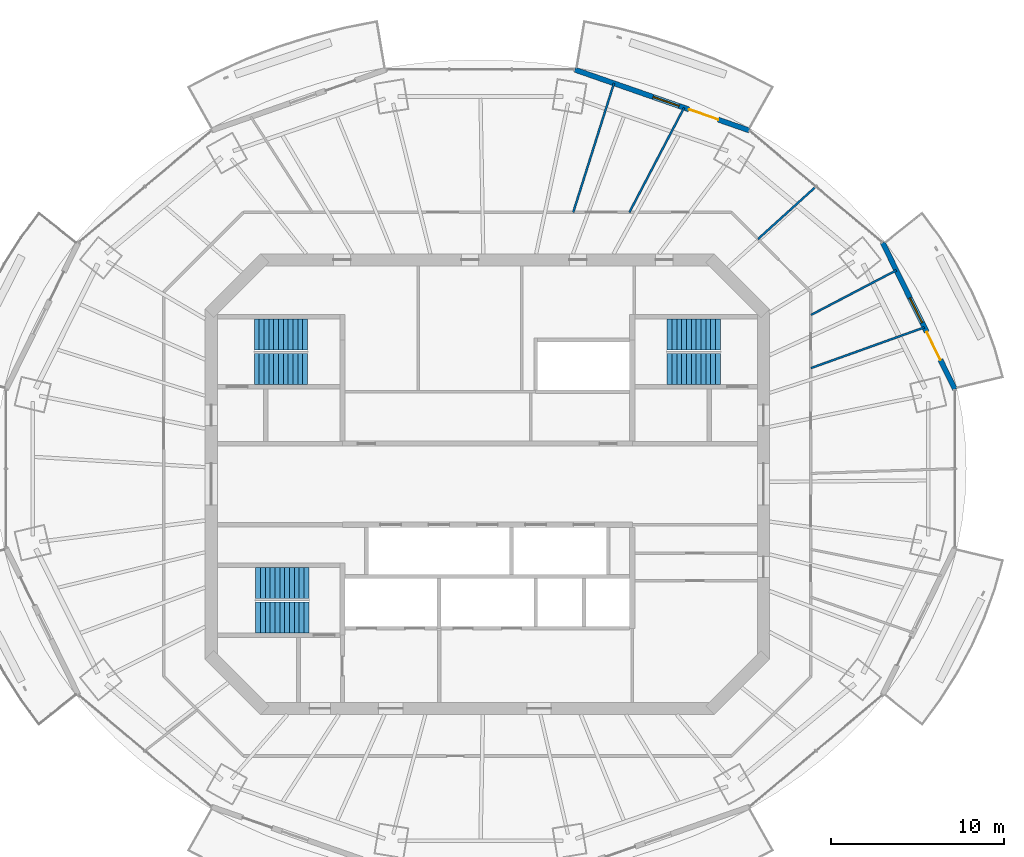
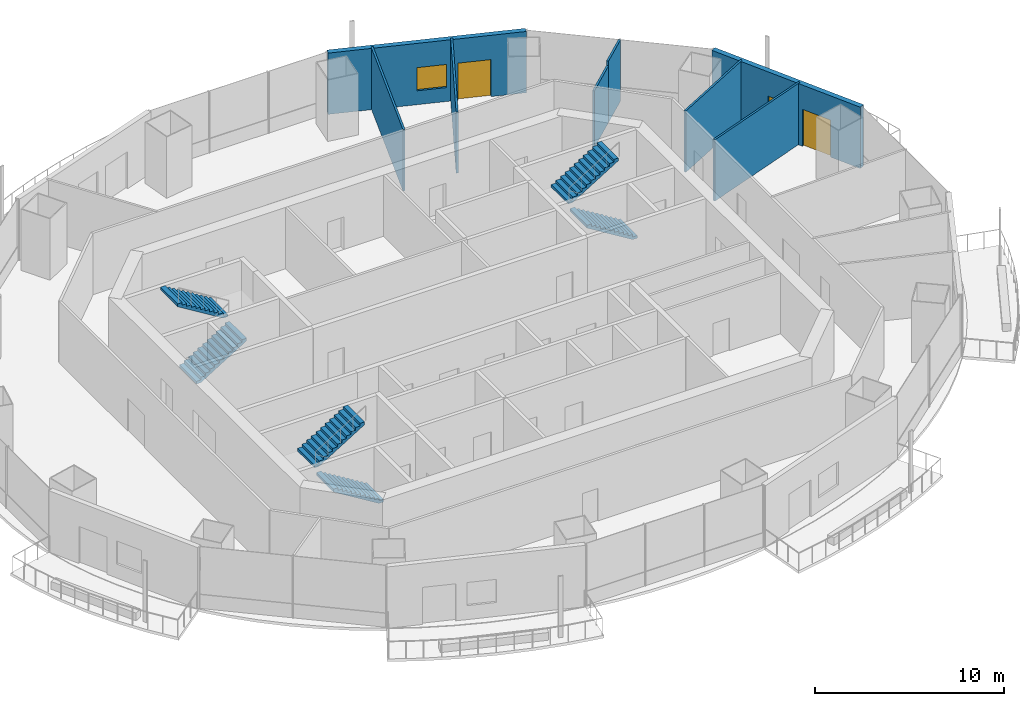
# One storey, part 11 of 16: 8 walls, 6 stair flights, 2 doors, 2 windows, 4 openings, 3 elements without a shape of their own.
"""IFC4 building model written with IfcOpenShell, lengths in metres."""

import ifcopenshell
import ifcopenshell.guid

model = None  # the IFC model being written
_history = None  # IfcOwnerHistory: only IFC2X3 demands one
_inside = {}  # id of a spatial element -> (the spatial element, [elements in it])
_under = {}  # id of a project, library or spatial element -> (it, [spatial elements below it])
_declared = {}  # id of a project -> (the project, [libraries it declares])
_typed = {}  # id of a type object -> (the type object, [elements of that type])
_made_of = {}  # id of a material, layer set ... -> (it, [elements and type objects made of it])


def new_model(schema):
    """Start an empty IFC model of exactly this schema.

    Asked for "IFC4X3", IfcOpenShell would pick the latest addendum, in which some entities
    have other attributes; the version numbers below select the first issue.
    IFC2X3 requires an IfcOwnerHistory on every rooted entity: one is made here for all.
    """
    global model, _history
    if schema == "IFC4X3":
        model = ifcopenshell.file(schema_version=(4, 3, 0, 0))
    else:
        model = ifcopenshell.file(schema=schema)
    _inside.clear()
    _under.clear()
    _declared.clear()
    _typed.clear()
    _made_of.clear()
    _history = None
    if model.schema == "IFC2X3":
        org = make("IfcOrganization", Name="unknown")
        user = make(
            "IfcPersonAndOrganization",
            ThePerson=make("IfcPerson", FamilyName="unknown"),
            TheOrganization=org,
        )
        app = make(
            "IfcApplication",
            ApplicationDeveloper=org,
            Version="unknown",
            ApplicationFullName="unknown",
            ApplicationIdentifier="unknown",
        )
        _history = make(
            "IfcOwnerHistory",
            OwningUser=user,
            OwningApplication=app,
            ChangeAction="ADDED",
            CreationDate=0,
        )
    return model


def make(cls, **values):
    """One entity of the class cls with the attributes given. An attribute that is None is left unset."""
    return model.create_entity(
        cls, **{name: value for name, value in values.items() if value is not None}
    )


def rooted(cls, **values):
    """An entity with a GlobalId (a new one), such as an element, a storey or a relation."""
    return make(cls, GlobalId=ifcopenshell.guid.new(), OwnerHistory=_history, **values)


def si_unit(unit_type, name, prefix=None):
    """IfcSIUnit, for example si_unit("LENGTHUNIT", "METRE", prefix="MILLI")."""
    return make("IfcSIUnit", UnitType=unit_type, Prefix=prefix, Name=name)


def assignment(units):
    """IfcUnitAssignment: the units of a project."""
    return None if units is None else make("IfcUnitAssignment", Units=units)


def point(xyz):
    """IfcCartesianPoint."""
    return None if xyz is None else make("IfcCartesianPoint", Coordinates=xyz)


def direction(xyz):
    """IfcDirection."""
    return None if xyz is None else make("IfcDirection", DirectionRatios=xyz)


def frame(location, z_axis=None, x_axis=None):
    """IfcAxis2Placement3D, a coordinate frame: its origin and axes. An axis left out is left unset."""
    return make(
        "IfcAxis2Placement3D",
        Location=point(location),
        Axis=direction(z_axis),
        RefDirection=direction(x_axis),
    )


def frame_2d(location, x_axis=None):
    """IfcAxis2Placement2D, a coordinate frame in the plane: its origin and x axis."""
    return make(
        "IfcAxis2Placement2D", Location=point(location), RefDirection=direction(x_axis)
    )


def origin():
    """The frame at (0, 0, 0) with its axes left unset."""
    return frame((0.0, 0.0, 0.0))


def place(relative_to, where):
    """IfcLocalPlacement: puts the frame where relative to a parent placement (None: the world)."""
    return make(
        "IfcLocalPlacement", PlacementRelTo=relative_to, RelativePlacement=where
    )


def context(
    kind, dimensions, precision=None, world=None, true_north=None, identifier=None
):
    """IfcGeometricRepresentationContext, for example the 3D "Model" context."""
    return make(
        "IfcGeometricRepresentationContext",
        ContextIdentifier=identifier,
        ContextType=kind,
        CoordinateSpaceDimension=dimensions,
        Precision=precision,
        WorldCoordinateSystem=world,
        TrueNorth=true_north,
    )


def subcontext(parent, identifier, kind, view, scale=None):
    """IfcGeometricRepresentationSubContext, for example "Body" below "Model"."""
    return make(
        "IfcGeometricRepresentationSubContext",
        ContextIdentifier=identifier,
        ContextType=kind,
        ParentContext=parent,
        TargetScale=scale,
        TargetView=view,
    )


def project(units=None, contexts=None):
    """IfcProject with its units and contexts."""
    return rooted(
        "IfcProject",
        Name="project",
        RepresentationContexts=contexts,
        UnitsInContext=assignment(units),
    )


def spatial(cls, under=None, at=None, **own):
    """A site, building, storey or space (cls), placed at a placement, below another one or the project."""
    s = rooted(cls, ObjectPlacement=at, **own)
    if under is not None:
        _under.setdefault(under.id(), (under, []))[1].append(s)
    return s


def polyline(points):
    """IfcPolyline through the points."""
    return make("IfcPolyline", Points=[point(p) for p in points])


def profile(cls, at=None, kind="AREA", **sizes):
    """A parametric profile (cls). Its sizes go by their IFC names, for example OverallWidth=200.0."""
    return make(cls, ProfileType=kind, Position=at, **sizes)


def rectangle(**sizes):
    """IfcRectangleProfileDef."""
    return profile("IfcRectangleProfileDef", **sizes)


def outline(outer, holes=None, kind="AREA"):
    """IfcArbitraryClosedProfileDef: a profile drawn as a closed curve; with holes, ...WithVoids."""
    if holes is None:
        return make("IfcArbitraryClosedProfileDef", ProfileType=kind, OuterCurve=outer)
    return make(
        "IfcArbitraryProfileDefWithVoids",
        ProfileType=kind,
        OuterCurve=outer,
        InnerCurves=holes,
    )


def extrude(swept, where, along, depth):
    """IfcExtrudedAreaSolid: the profile swept, set in the frame where, extruded along a direction by depth."""
    return make(
        "IfcExtrudedAreaSolid",
        SweptArea=swept,
        Position=where,
        ExtrudedDirection=direction(along),
        Depth=depth,
    )


def shape(context_of_items, identifier, shape_type, items):
    """IfcShapeRepresentation: the items that make up one representation, for example the "Body"."""
    return make(
        "IfcShapeRepresentation",
        ContextOfItems=context_of_items,
        RepresentationIdentifier=identifier,
        RepresentationType=shape_type,
        Items=items,
    )


def material(Name=None, Category=None):
    """IfcMaterial."""
    return make("IfcMaterial", Name=Name, Category=Category)


def layer(
    of_material, thickness, ventilated=None, Name=None, Category=None, Priority=None
):
    """IfcMaterialLayer: one layer of a wall or slab, of a material (None: an air gap)."""
    return make(
        "IfcMaterialLayer",
        Material=of_material,
        LayerThickness=thickness,
        IsVentilated=ventilated,
        Name=Name,
        Category=Category,
        Priority=Priority,
    )


def layer_set(layers, Name=None):
    """IfcMaterialLayerSet."""
    return make("IfcMaterialLayerSet", MaterialLayers=layers, LayerSetName=Name)


def made_of(thing, what):
    """Note that an element or type object is made of a material, layer set ...; save() writes the relation."""
    if what is not None:
        _made_of.setdefault(what.id(), (what, []))[1].append(thing)
    return thing


def type_object(cls, material=None, **own):
    """A type object (cls), such as IfcWallType, which elements share."""
    return made_of(rooted(cls, **own), material)


def element(
    cls,
    number,
    at=None,
    inside=None,
    cuts=None,
    type_object=None,
    material=None,
    context=None,
    identifier="Body",
    shape_type=None,
    held_by="IfcProductDefinitionShape",
    body=None,
    shapes=None,
    **own,
):
    """One element of the class cls, such as IfcWall. Its Tag is "e" and its number.

    at: its placement. inside: the storey or other place that contains it. cuts: it is an
    opening in that element (IfcRelVoidsElement). A single representation is given by context,
    identifier, shape_type and body (its items); several are given by shapes. held_by: the class
    of the entity that holds the representations. save() writes the other relations.
    """
    e = rooted(cls, Tag="e%d" % number, ObjectPlacement=at, **own)
    if body is not None:
        shapes = [shape(context, identifier, shape_type, body)]
    if shapes is not None:
        e.Representation = make(held_by, Representations=shapes)
    if inside is not None:
        _inside.setdefault(inside.id(), (inside, []))[1].append(e)
    if cuts is not None:
        rooted(
            "IfcRelVoidsElement", RelatingBuildingElement=cuts, RelatedOpeningElement=e
        )
    if type_object is not None:
        _typed.setdefault(type_object.id(), (type_object, []))[1].append(e)
    return made_of(e, material)


def fill(opening, filler):
    """IfcRelFillsElement: the door or window that sits in an opening."""
    return rooted(
        "IfcRelFillsElement",
        RelatingOpeningElement=opening,
        RelatedBuildingElement=filler,
    )


def aggregate(whole, parts):
    """IfcRelAggregates: a whole, such as a stair, and the parts it consists of."""
    return rooted("IfcRelAggregates", RelatingObject=whole, RelatedObjects=parts)


def save(model, path):
    """Write the relations noted so far, then the file.

    IfcRelAggregates (storeys below a building ...), IfcRelContainedInSpatialStructure (elements
    in a storey), IfcRelDefinesByType, IfcRelAssociatesMaterial and IfcRelDeclares: one each for
    every whole, place, type object, material and project.
    """
    for whole, parts in _under.values():
        aggregate(whole, parts)
    for where, things in _inside.values():
        rooted(
            "IfcRelContainedInSpatialStructure",
            RelatedElements=things,
            RelatingStructure=where,
        )
    for kind, things in _typed.values():
        rooted("IfcRelDefinesByType", RelatedObjects=things, RelatingType=kind)
    for what, things in _made_of.values():
        rooted("IfcRelAssociatesMaterial", RelatedObjects=things, RelatingMaterial=what)
    for by, libraries in _declared.values():
        rooted("IfcRelDeclares", RelatingContext=by, RelatedDefinitions=libraries)
    model.write(path)


model = new_model("IFC4")

# Units and contexts
model_context = context("Model", 3, precision=1e-05, world=origin(), true_north=direction((0.0, 1.0)))
body_context = subcontext(model_context, "Body", "Model", "MODEL_VIEW")
ifc_project = project(units=[si_unit("LENGTHUNIT", "METRE"), si_unit("AREAUNIT", "SQUARE_METRE"), si_unit("VOLUMEUNIT", "CUBIC_METRE"), si_unit("PLANEANGLEUNIT", "RADIAN"), si_unit("MASSUNIT", "GRAM", prefix="KILO")], contexts=[model_context])

# Site, building, storey
site_placement = place(None, origin())
site = spatial("IfcSite", under=ifc_project, at=site_placement, CompositionType="ELEMENT")
building_placement = place(site_placement, origin())
building = spatial("IfcBuilding", under=site, at=building_placement, Name="Marenthal Gate Tower", CompositionType="ELEMENT")
storey_placement = place(building_placement, frame((0.0, 0.0, 317.699951171875)))
storey = spatial("IfcBuildingStorey", under=building, at=storey_placement, Name="L71", CompositionType="ELEMENT", Elevation=317.699951171875)

# Walls
ifc_material_1 = material(Name="Gypsum board on steel studs", Category="steel")
ifc_layer_1 = layer(ifc_material_1, 0.1201171875)
ifc_layer_set_1 = layer_set([ifc_layer_1], Name="Partition 120")
wall_type_1 = type_object("IfcWallType", Name="Partition 120", PredefinedType="PARTITIONING", material=ifc_layer_set_1)
wall_1_placement = place(storey_placement, frame((4.97412109375, 15.75, 0.0), z_axis=(0.0, 0.0, 1.0), x_axis=(0.301144774856, 0.953578431266, 0.0)))
element("IfcWall", 1, at=wall_1_placement, inside=storey, type_object=wall_type_1, Name="Partition wall 58", PredefinedType="PARTITIONING", context=body_context, shape_type="SweptSolid", body=[
    extrude(rectangle(XDim=7.843505859375, YDim=0.1201171875, at=frame_2d((3.921875, 0.0))), origin(), (0.0, 0.0, 1.0), 3.969970703125),
])
wall_2_placement = place(storey_placement, frame((8.228759765625, 15.75, 0.0), z_axis=(0.0, 0.0, 1.0), x_axis=(0.463069511272, 0.886321966178, 0.0)))
element("IfcWall", 2, at=wall_2_placement, inside=storey, type_object=wall_type_1, Name="Partition wall 59", PredefinedType="PARTITIONING", context=body_context, shape_type="SweptSolid", body=[
    extrude(rectangle(XDim=6.8427734375, YDim=0.1201171875, at=frame_2d((3.42138671875, 0.0))), origin(), (0.0, 0.0, 1.0), 3.969970703125),
])
wall_3_placement = place(storey_placement, frame((15.68359375, 14.20556640625, 0.0), z_axis=(0.0, 0.0, 1.0), x_axis=(0.741131279002, 0.671360132332, 0.0)))
element("IfcWall", 3, at=wall_3_placement, inside=storey, type_object=wall_type_1, Name="Partition wall 62", PredefinedType="PARTITIONING", context=body_context, shape_type="SweptSolid", body=[
    extrude(rectangle(XDim=2.44580078125, YDim=0.1201171875, at=frame_2d((1.222900390625, 0.0))), origin(), (0.0, 0.0, 1.0), 3.66796875),
])
wall_4_placement = place(storey_placement, frame((17.496337890625, 15.84765625, 0.0), z_axis=(0.0, 0.0, 1.0), x_axis=(0.741130737717, 0.67136072987, 0.0)))
element("IfcWall", 4, at=wall_4_placement, inside=storey, type_object=wall_type_1, Name="Partition wall 70", PredefinedType="PARTITIONING", context=body_context, shape_type="SweptSolid", body=[
    extrude(rectangle(XDim=2.08544921875, YDim=0.1201171875, at=frame_2d((1.042724609375, 0.0))), origin(), (0.0, 0.0, 1.0), 3.969970703125),
])
wall_5_placement = place(storey_placement, frame((18.75, 6.72705078125, 0.0), z_axis=(0.0, 0.0, 1.0), x_axis=(0.941255616046, 0.337694929281, 0.0)))
element("IfcWall", 5, at=wall_5_placement, inside=storey, type_object=wall_type_1, Name="Partition wall 67", PredefinedType="PARTITIONING", context=body_context, shape_type="SweptSolid", body=[
    extrude(rectangle(XDim=6.988037109375, YDim=0.1201171875, at=frame_2d((3.494140625, 0.0))), origin(), (0.0, 0.0, 1.0), 3.969970703125),
])
wall_6_placement = place(storey_placement, frame((18.75, 9.8056640625, 0.0), z_axis=(0.0, 0.0, 1.0), x_axis=(0.886129976356, 0.463436797205, 0.0)))
element("IfcWall", 6, at=wall_6_placement, inside=storey, type_object=wall_type_1, Name="Partition wall 68", PredefinedType="PARTITIONING", context=body_context, shape_type="SweptSolid", body=[
    extrude(rectangle(XDim=5.584716796875, YDim=0.1201171875, at=frame_2d((2.79248046875, 0.0))), origin(), (0.0, 0.0, 1.0), 3.969970703125),
])

# Wall, openings, door, window
ifc_material_2 = material(Name="Terracotta cladding on insulated concrete-block backing", Category="masonry")
ifc_layer_2 = layer(ifc_material_2, 0.300048828125)
ifc_layer_set_2 = layer_set([ifc_layer_2], Name="Terracotta facade wall 300")
wall_type_2 = type_object("IfcWallType", Name="Terracotta facade wall 300", PredefinedType="SOLIDWALL", material=ifc_layer_set_2)
wall_7_placement = place(storey_placement, frame((27.09521484375, 5.498779296875, 0.0), z_axis=(0.0, 0.0, 1.0), x_axis=(-0.441906476931, 0.89706112704, 0.0)))
wall_7 = element("IfcWall", 7, at=wall_7_placement, inside=storey, type_object=wall_type_2, Name="Terracotta facade wall L71 bay 1", PredefinedType="SOLIDWALL", context=body_context, shape_type="SweptSolid", body=[
    extrude(rectangle(XDim=9.47216796875, YDim=0.300048828125, at=frame_2d((4.736083984375, 0.0))), origin(), (0.0, 0.0, 1.0), 3.969970703125),
])
opening_1_placement = place(wall_7_placement, frame((1.89990234375, 0.0, 0.0)))
opening_1 = element("IfcOpeningElement", 8, at=opening_1_placement, cuts=wall_7, Name="Opening BD-L71-01", PredefinedType="OPENING", context=body_context, shape_type="SweptSolid", body=[
    extrude(rectangle(XDim=1.800048828125, YDim=2.39990234375, at=frame_2d((0.89990234375, 1.199951171875))), frame((0.0, 0.16015625, 0.0), z_axis=(0.0, -1.0, 0.0), x_axis=(1.0, 0.0, 0.0)), (0.0, 0.0, 1.0), 0.320068359375),
])
opening_2_placement = place(wall_7_placement, frame((4.300048828125, 0.0, 0.89990234375)))
opening_2 = element("IfcOpeningElement", 9, at=opening_2_placement, cuts=wall_7, Name="Opening WN3-L71-01", PredefinedType="OPENING", context=body_context, shape_type="SweptSolid", body=[
    extrude(rectangle(XDim=1.60009765625, YDim=1.5, at=frame_2d((0.800048828125, 0.75))), frame((0.0, 0.16015625, 0.0), z_axis=(0.0, -1.0, 0.0), x_axis=(1.0, 0.0, 0.0)), (0.0, 0.0, 1.0), 0.320068359375),
])
ifc_material_3 = material(Name="Aluminium and glass", Category="aluminium")
door_type = type_object("IfcDoorType", Name="Balcony door 1800x2400", OperationType="DOUBLE_DOOR_SINGLE_SWING", PredefinedType="DOOR", material=ifc_material_3)
door_1_placement = place(opening_1_placement, origin())
door_1 = element("IfcDoor", 10, at=door_1_placement, inside=storey, type_object=door_type, Name="Balcony door L71 bay 1", OperationType="SINGLE_SWING_LEFT", OverallHeight=2.39990234375, OverallWidth=1.800048828125, PredefinedType="DOOR", context=body_context, shape_type="SweptSolid", body=[
    extrude(rectangle(XDim=1.800048828125, YDim=2.39990234375, at=frame_2d((0.89990234375, 1.199951171875))), frame((0.0, 0.02490234375, 0.0), z_axis=(0.0, -1.0, 0.0), x_axis=(1.0, 0.0, 0.0)), (0.0, 0.0, 1.0), 0.050048828125),
])
fill(opening_1, door_1)
ifc_material_4 = material(Name="Aluminium and glass", Category="aluminium")
window_type = type_object("IfcWindowType", Name="Window 1600x1500", PartitioningType="DOUBLE_PANEL_VERTICAL", PredefinedType="WINDOW", material=ifc_material_4)
window_1_placement = place(opening_2_placement, origin())
window_1 = element("IfcWindow", 11, at=window_1_placement, inside=storey, type_object=window_type, Name="Window L71 bay 1", OverallHeight=1.5, OverallWidth=1.60009765625, PartitioningType="SINGLE_PANEL", PredefinedType="WINDOW", context=body_context, shape_type="SweptSolid", body=[
    extrude(rectangle(XDim=1.60009765625, YDim=1.5, at=frame_2d((0.800048828125, 0.75))), frame((0.0, 0.030029296875, 0.0), z_axis=(0.0, -1.0, 0.0), x_axis=(1.0, 0.0, 0.0)), (0.0, 0.0, 1.0), 0.06005859375),
])
fill(opening_2, window_1)

wall_8_placement = place(storey_placement, frame((15.1748046875, 20.49951171875, 0.0), z_axis=(0.0, 0.0, 1.0), x_axis=(-0.94436622093, 0.328895790132, 0.0)))
wall_8 = element("IfcWall", 12, at=wall_8_placement, inside=storey, type_object=wall_type_2, Name="Terracotta facade wall L71 bay 3", PredefinedType="SOLIDWALL", context=body_context, shape_type="SweptSolid", body=[
    extrude(rectangle(XDim=10.701171875, YDim=0.300048828125, at=frame_2d((5.3505859375, 0.0))), origin(), (0.0, 0.0, 1.0), 3.969970703125),
])
opening_3_placement = place(wall_8_placement, frame((1.89990234375, 0.0, 0.0)))
opening_3 = element("IfcOpeningElement", 13, at=opening_3_placement, cuts=wall_8, Name="Opening BD-L71-03", PredefinedType="OPENING", context=body_context, shape_type="SweptSolid", body=[
    extrude(rectangle(XDim=1.800048828125, YDim=2.39990234375, at=frame_2d((0.89990234375, 1.199951171875))), frame((0.0, 0.16015625, 0.0), z_axis=(0.0, -1.0, 0.0), x_axis=(1.0, 0.0, 0.0)), (0.0, 0.0, 1.0), 0.320068359375),
])
opening_4_placement = place(wall_8_placement, frame((4.300048828125, 0.0, 0.89990234375)))
opening_4 = element("IfcOpeningElement", 14, at=opening_4_placement, cuts=wall_8, Name="Opening WN3-L71-03", PredefinedType="OPENING", context=body_context, shape_type="SweptSolid", body=[
    extrude(rectangle(XDim=1.60009765625, YDim=1.5, at=frame_2d((0.800048828125, 0.75))), frame((0.0, 0.16015625, 0.0), z_axis=(0.0, -1.0, 0.0), x_axis=(1.0, 0.0, 0.0)), (0.0, 0.0, 1.0), 0.320068359375),
])
door_2_placement = place(opening_3_placement, origin())
door_2 = element("IfcDoor", 15, at=door_2_placement, inside=storey, type_object=door_type, Name="Balcony door L71 bay 3", OperationType="SINGLE_SWING_LEFT", OverallHeight=2.39990234375, OverallWidth=1.800048828125, PredefinedType="DOOR", context=body_context, shape_type="SweptSolid", body=[
    extrude(rectangle(XDim=1.800048828125, YDim=2.39990234375, at=frame_2d((0.89990234375, 1.199951171875))), frame((0.0, 0.02490234375, 0.0), z_axis=(0.0, -1.0, 0.0), x_axis=(1.0, 0.0, 0.0)), (0.0, 0.0, 1.0), 0.050048828125),
])
fill(opening_3, door_2)
window_2_placement = place(opening_4_placement, origin())
window_2 = element("IfcWindow", 16, at=window_2_placement, inside=storey, type_object=window_type, Name="Window L71 bay 3", OverallHeight=1.5, OverallWidth=1.60009765625, PartitioningType="SINGLE_PANEL", PredefinedType="WINDOW", context=body_context, shape_type="SweptSolid", body=[
    extrude(rectangle(XDim=1.60009765625, YDim=1.5, at=frame_2d((0.800048828125, 0.75))), frame((0.0, 0.030029296875, 0.0), z_axis=(0.0, -1.0, 0.0), x_axis=(1.0, 0.0, 0.0)), (0.0, 0.0, 1.0), 0.06005859375),
])
fill(opening_4, window_2)

# Stair, stair flights
ifc_material_5 = material(Name="Concrete 40 MPa", Category="concrete")
stair_type = type_object("IfcStairType", Name="Exit stair 1800", PredefinedType="HALF_TURN_STAIR", material=ifc_material_5)
stair_1_placement = place(storey_placement, origin())
stair_1 = element("IfcStair", 17, at=stair_1_placement, inside=storey, type_object=stair_type, Name="Stair ST1", PredefinedType="HALF_TURN_STAIR")
ifc_material_6 = material(Name="Concrete 40 MPa", Category="concrete")
stair_flight_type = type_object("IfcStairFlightType", Name="Stair flight 1800", PredefinedType="STRAIGHT", material=ifc_material_6)
stair_flight_1_placement = place(storey_placement, frame((-13.5, 6.675048828125, 0.0), z_axis=(0.0, 0.0, 1.0), x_axis=(1.0, 0.0, 0.0)))
stair_flight_1 = element("IfcStairFlight", 18, at=stair_flight_1_placement, type_object=stair_flight_type, Name="ST1 flight 1", NumberOfRisers=12, NumberOfTreads=11, PredefinedType="STRAIGHT", RiserHeight=0.172916667, TreadLength=0.28, context=body_context, shape_type="SweptSolid", body=[
    extrude(outline(polyline([(0.0, 0.0), (0.0, 0.1728515625), (0.280029296875, 0.1728515625), (0.280029296875, 0.345947265625), (0.56005859375, 0.345947265625), (0.56005859375, 0.518798828125), (0.840087890625, 0.518798828125), (0.840087890625, 0.691650390625), (1.1201171875, 0.691650390625), (1.1201171875, 0.864501953125), (1.39990234375, 0.864501953125), (1.39990234375, 1.03759765625), (1.679931640625, 1.03759765625), (1.679931640625, 1.21044921875), (1.9599609375, 1.21044921875), (1.9599609375, 1.38330078125), (2.239990234375, 1.38330078125), (2.239990234375, 1.55615234375), (2.52001953125, 1.55615234375), (2.52001953125, 1.729248046875), (2.800048828125, 1.729248046875), (2.800048828125, 1.902099609375), (3.080078125, 1.902099609375), (3.080078125, 2.074951171875), (3.080078125, 1.725830078125), (0.285400390625, 0.0), (0.0, 0.0)])), frame((0.0, 0.89990234375, 0.0), z_axis=(0.0, -1.0, 0.0), x_axis=(1.0, 0.0, 0.0)), (0.0, 0.0, 1.0), 1.800048828125),
])
stair_flight_2_placement = place(storey_placement, frame((-10.419921875, 8.675048828125, 2.074951171875), z_axis=(0.0, 0.0, 1.0), x_axis=(-1.0, 0.0, 0.0)))
stair_flight_2 = element("IfcStairFlight", 19, at=stair_flight_2_placement, type_object=stair_flight_type, Name="ST1 flight 2", NumberOfRisers=12, NumberOfTreads=11, PredefinedType="STRAIGHT", RiserHeight=0.172916667, TreadLength=0.28, context=body_context, shape_type="SweptSolid", body=[
    extrude(outline(polyline([(0.0, 0.0), (0.0, 0.1728515625), (0.280029296875, 0.1728515625), (0.280029296875, 0.345947265625), (0.56005859375, 0.345947265625), (0.56005859375, 0.518798828125), (0.840087890625, 0.518798828125), (0.840087890625, 0.691650390625), (1.1201171875, 0.691650390625), (1.1201171875, 0.864501953125), (1.39990234375, 0.864501953125), (1.39990234375, 1.03759765625), (1.679931640625, 1.03759765625), (1.679931640625, 1.21044921875), (1.9599609375, 1.21044921875), (1.9599609375, 1.38330078125), (2.239990234375, 1.38330078125), (2.239990234375, 1.55615234375), (2.52001953125, 1.55615234375), (2.52001953125, 1.729248046875), (2.800048828125, 1.729248046875), (2.800048828125, 1.902099609375), (3.080078125, 1.902099609375), (3.080078125, 2.074951171875), (3.080078125, 1.725830078125), (0.285400390625, 0.0), (0.0, 0.0)])), frame((0.0, 0.89990234375, 0.0), z_axis=(0.0, -1.0, 0.0), x_axis=(1.0, 0.0, 0.0)), (0.0, 0.0, 1.0), 1.800048828125),
])
aggregate(stair_1, [stair_flight_1, stair_flight_2])

stair_2_placement = place(storey_placement, origin())
stair_2 = element("IfcStair", 20, at=stair_2_placement, inside=storey, type_object=stair_type, Name="Stair ST2", PredefinedType="HALF_TURN_STAIR")
stair_flight_3_placement = place(storey_placement, frame((-10.35009765625, -7.72509765625, 0.0), z_axis=(0.0, 0.0, 1.0), x_axis=(-1.0, 0.0, 0.0)))
stair_flight_3 = element("IfcStairFlight", 21, at=stair_flight_3_placement, type_object=stair_flight_type, Name="ST2 flight 1", NumberOfRisers=12, NumberOfTreads=11, PredefinedType="STRAIGHT", RiserHeight=0.172916667, TreadLength=0.28, context=body_context, shape_type="SweptSolid", body=[
    extrude(outline(polyline([(0.0, 0.0), (0.0, 0.1728515625), (0.280029296875, 0.1728515625), (0.280029296875, 0.345947265625), (0.56005859375, 0.345947265625), (0.56005859375, 0.518798828125), (0.840087890625, 0.518798828125), (0.840087890625, 0.691650390625), (1.1201171875, 0.691650390625), (1.1201171875, 0.864501953125), (1.39990234375, 0.864501953125), (1.39990234375, 1.03759765625), (1.679931640625, 1.03759765625), (1.679931640625, 1.21044921875), (1.9599609375, 1.21044921875), (1.9599609375, 1.38330078125), (2.239990234375, 1.38330078125), (2.239990234375, 1.55615234375), (2.52001953125, 1.55615234375), (2.52001953125, 1.729248046875), (2.800048828125, 1.729248046875), (2.800048828125, 1.902099609375), (3.080078125, 1.902099609375), (3.080078125, 2.074951171875), (3.080078125, 1.725830078125), (0.285400390625, 0.0), (0.0, 0.0)])), frame((0.0, 0.89990234375, 0.0), z_axis=(0.0, -1.0, 0.0), x_axis=(1.0, 0.0, 0.0)), (0.0, 0.0, 1.0), 1.800048828125),
])
stair_flight_4_placement = place(storey_placement, frame((-13.429931640625, -5.72509765625, 2.074951171875), z_axis=(0.0, 0.0, 1.0), x_axis=(1.0, 0.0, 0.0)))
stair_flight_4 = element("IfcStairFlight", 22, at=stair_flight_4_placement, type_object=stair_flight_type, Name="ST2 flight 2", NumberOfRisers=12, NumberOfTreads=11, PredefinedType="STRAIGHT", RiserHeight=0.172916667, TreadLength=0.28, context=body_context, shape_type="SweptSolid", body=[
    extrude(outline(polyline([(0.0, 0.0), (0.0, 0.1728515625), (0.280029296875, 0.1728515625), (0.280029296875, 0.345947265625), (0.56005859375, 0.345947265625), (0.56005859375, 0.518798828125), (0.840087890625, 0.518798828125), (0.840087890625, 0.691650390625), (1.1201171875, 0.691650390625), (1.1201171875, 0.864501953125), (1.39990234375, 0.864501953125), (1.39990234375, 1.03759765625), (1.679931640625, 1.03759765625), (1.679931640625, 1.21044921875), (1.9599609375, 1.21044921875), (1.9599609375, 1.38330078125), (2.239990234375, 1.38330078125), (2.239990234375, 1.55615234375), (2.52001953125, 1.55615234375), (2.52001953125, 1.729248046875), (2.800048828125, 1.729248046875), (2.800048828125, 1.902099609375), (3.080078125, 1.902099609375), (3.080078125, 2.074951171875), (3.080078125, 1.725830078125), (0.285400390625, 0.0), (0.0, 0.0)])), frame((0.0, 0.89990234375, 0.0), z_axis=(0.0, -1.0, 0.0), x_axis=(1.0, 0.0, 0.0)), (0.0, 0.0, 1.0), 1.800048828125),
])
aggregate(stair_2, [stair_flight_3, stair_flight_4])

stair_3_placement = place(storey_placement, origin())
stair_3 = element("IfcStair", 23, at=stair_3_placement, inside=storey, type_object=stair_type, Name="Stair ST3", PredefinedType="HALF_TURN_STAIR")
stair_flight_5_placement = place(storey_placement, frame((13.5, 6.675048828125, 0.0), z_axis=(0.0, 0.0, 1.0), x_axis=(-1.0, 0.0, 0.0)))
stair_flight_5 = element("IfcStairFlight", 24, at=stair_flight_5_placement, type_object=stair_flight_type, Name="ST3 flight 1", NumberOfRisers=12, NumberOfTreads=11, PredefinedType="STRAIGHT", RiserHeight=0.172916667, TreadLength=0.28, context=body_context, shape_type="SweptSolid", body=[
    extrude(outline(polyline([(0.0, 0.0), (0.0, 0.1728515625), (0.280029296875, 0.1728515625), (0.280029296875, 0.345947265625), (0.56005859375, 0.345947265625), (0.56005859375, 0.518798828125), (0.840087890625, 0.518798828125), (0.840087890625, 0.691650390625), (1.1201171875, 0.691650390625), (1.1201171875, 0.864501953125), (1.39990234375, 0.864501953125), (1.39990234375, 1.03759765625), (1.679931640625, 1.03759765625), (1.679931640625, 1.21044921875), (1.9599609375, 1.21044921875), (1.9599609375, 1.38330078125), (2.239990234375, 1.38330078125), (2.239990234375, 1.55615234375), (2.52001953125, 1.55615234375), (2.52001953125, 1.729248046875), (2.800048828125, 1.729248046875), (2.800048828125, 1.902099609375), (3.080078125, 1.902099609375), (3.080078125, 2.074951171875), (3.080078125, 1.725830078125), (0.285400390625, 0.0), (0.0, 0.0)])), frame((0.0, 0.89990234375, 0.0), z_axis=(0.0, -1.0, 0.0), x_axis=(1.0, 0.0, 0.0)), (0.0, 0.0, 1.0), 1.800048828125),
])
stair_flight_6_placement = place(storey_placement, frame((10.419921875, 8.675048828125, 2.074951171875), z_axis=(0.0, 0.0, 1.0), x_axis=(1.0, 0.0, 0.0)))
stair_flight_6 = element("IfcStairFlight", 25, at=stair_flight_6_placement, type_object=stair_flight_type, Name="ST3 flight 2", NumberOfRisers=12, NumberOfTreads=11, PredefinedType="STRAIGHT", RiserHeight=0.172916667, TreadLength=0.28, context=body_context, shape_type="SweptSolid", body=[
    extrude(outline(polyline([(0.0, 0.0), (0.0, 0.1728515625), (0.280029296875, 0.1728515625), (0.280029296875, 0.345947265625), (0.56005859375, 0.345947265625), (0.56005859375, 0.518798828125), (0.840087890625, 0.518798828125), (0.840087890625, 0.691650390625), (1.1201171875, 0.691650390625), (1.1201171875, 0.864501953125), (1.39990234375, 0.864501953125), (1.39990234375, 1.03759765625), (1.679931640625, 1.03759765625), (1.679931640625, 1.21044921875), (1.9599609375, 1.21044921875), (1.9599609375, 1.38330078125), (2.239990234375, 1.38330078125), (2.239990234375, 1.55615234375), (2.52001953125, 1.55615234375), (2.52001953125, 1.729248046875), (2.800048828125, 1.729248046875), (2.800048828125, 1.902099609375), (3.080078125, 1.902099609375), (3.080078125, 2.074951171875), (3.080078125, 1.725830078125), (0.285400390625, 0.0), (0.0, 0.0)])), frame((0.0, 0.89990234375, 0.0), z_axis=(0.0, -1.0, 0.0), x_axis=(1.0, 0.0, 0.0)), (0.0, 0.0, 1.0), 1.800048828125),
])
aggregate(stair_3, [stair_flight_5, stair_flight_6])

save(model, "model.ifc")
